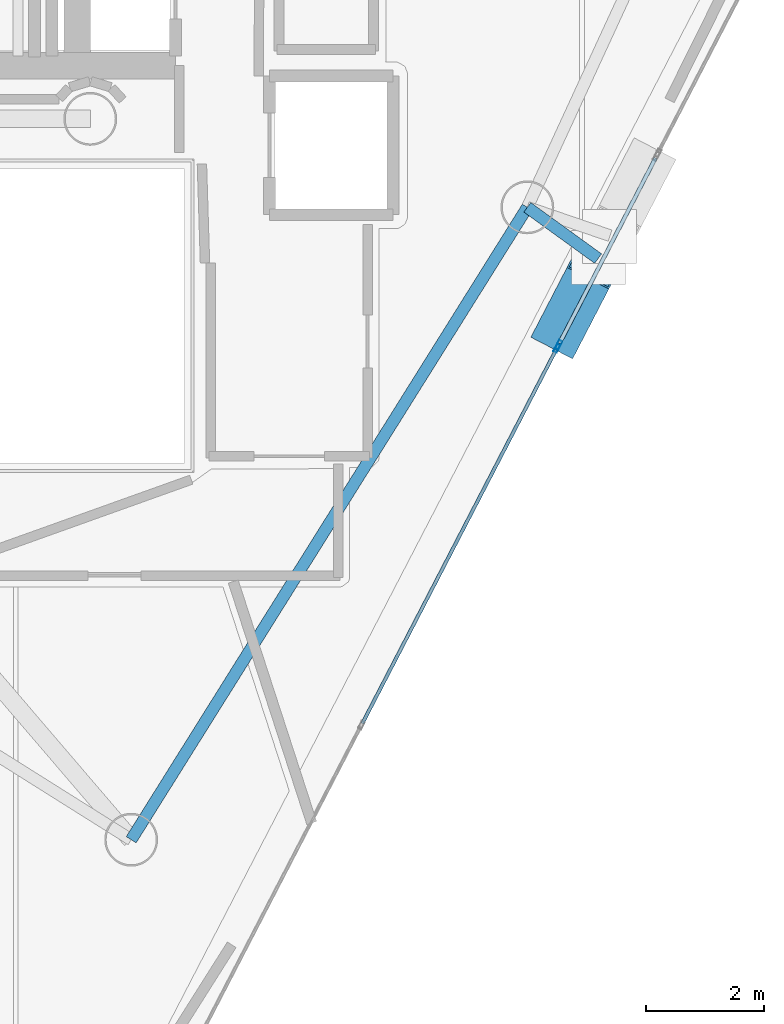
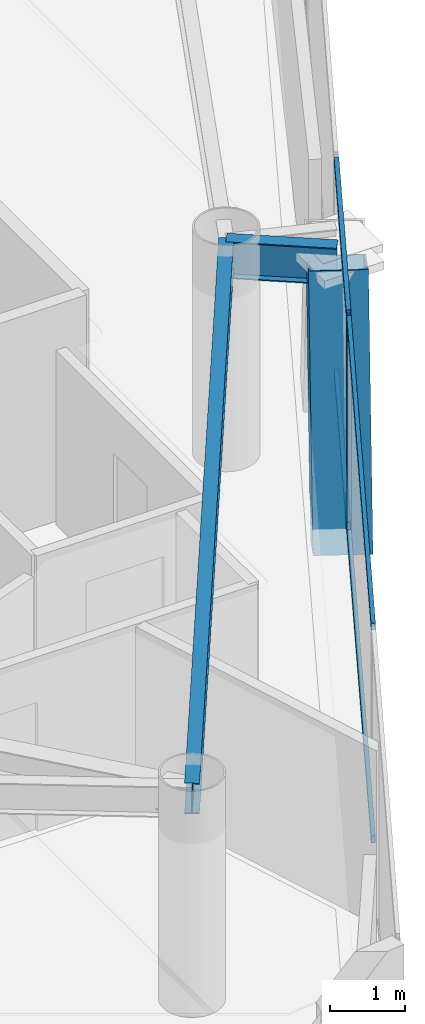
# One storey, part 6 of 21: 7 members, 2 beams, 2 elements without a shape of their own.
"""IFC4 building model written with IfcOpenShell, lengths in metres."""

from ifc_helpers import new_model, si_unit, direction, frame, origin, origin_2d, place, context, subcontext, project, spatial, hollow_rectangle, i_section, extrude, material, layer, layer_set, material_profile, profile_set, type_object, element, aggregate, save


model = new_model("IFC4")

# Units and contexts
model_context = context("Model", 3, precision=1e-05, world=origin(), true_north=direction((0.0, 1.0)))
body_context = subcontext(model_context, "Body", "Model", "MODEL_VIEW")
ifc_project = project(units=[si_unit("LENGTHUNIT", "METRE"), si_unit("AREAUNIT", "SQUARE_METRE"), si_unit("VOLUMEUNIT", "CUBIC_METRE"), si_unit("PLANEANGLEUNIT", "RADIAN"), si_unit("MASSUNIT", "GRAM", prefix="KILO")], contexts=[model_context])

# Site, building, storey
site_placement = place(None, origin())
site = spatial("IfcSite", under=ifc_project, at=site_placement, CompositionType="ELEMENT")
building_placement = place(site_placement, origin())
building = spatial("IfcBuilding", under=site, at=building_placement, Name="Qianvela Tower", CompositionType="ELEMENT")
storey_placement = place(building_placement, frame((0.0, 0.0, 310.199951171875)))
storey = spatial("IfcBuildingStorey", under=building, at=storey_placement, Name="L80", CompositionType="ELEMENT", Elevation=310.199951171875)

# Beams
ifc_material_1 = material(Name="Steel Q355B", Category="steel")
ifc_material_profile_1 = material_profile(ifc_material_1, i_section(OverallWidth=0.199951171875, OverallDepth=0.5, WebThickness=0.010009765625, FlangeThickness=0.01611328125, at=origin_2d()), Name="HN500x200x10x16")
ifc_profile_set_1 = profile_set([ifc_material_profile_1], Name="Steel Q355B")
beam_type_1 = type_object("IfcBeamType", Name="BM-HN500-GIRD", PredefinedType="BEAM", material=ifc_profile_set_1)
beam_1_placement = place(storey_placement, frame((39.095947265625, 11.587890625, 3.26806640625), z_axis=(0.530840654868, 0.847471650935, 0.0), x_axis=(-0.847471650935, 0.530840654868, 0.0)))
element("IfcBeam", 1, at=beam_1_placement, inside=storey, type_object=beam_type_1, Name="L80 Perimeter Ring Spandrel Girder 5", PredefinedType="BEAM", context=body_context, shape_type="SweptSolid", body=[
    extrude(i_section(OverallWidth=0.199951171875, OverallDepth=0.5, WebThickness=0.010009765625, FlangeThickness=0.01611328125, at=origin_2d()), origin(), (0.0, 0.0, 1.0), 12.693115234375),
])
ifc_material_2 = material(Name="Steel Q355B", Category="steel")
ifc_material_profile_2 = material_profile(ifc_material_2, i_section(OverallWidth=0.199951171875, OverallDepth=0.60009765625, WebThickness=0.010986328125, FlangeThickness=0.01708984375, at=origin_2d()), Name="HN600x200x11x17")
ifc_profile_set_2 = profile_set([ifc_material_profile_2], Name="Steel Q355B")
beam_type_2 = type_object("IfcBeamType", Name="BM-HN600-GIRD", PredefinedType="BEAM", material=ifc_profile_set_2)
beam_2_placement = place(storey_placement, frame((45.833984375, 22.344970703125, 3.218017578125), z_axis=(0.809899080668, -0.586569244961, 0.0), x_axis=(0.586569244961, 0.809899080668, 0.0)))
element("IfcBeam", 2, at=beam_2_placement, inside=storey, type_object=beam_type_2, Name="L80 Mega-Brace Column Tie Bracket F3-1", PredefinedType="BEAM", context=body_context, shape_type="SweptSolid", body=[
    extrude(i_section(OverallWidth=0.199951171875, OverallDepth=0.60009765625, WebThickness=0.010986328125, FlangeThickness=0.01708984375, at=origin_2d()), origin(), (0.0, 0.0, 1.0), 1.48681640625),
])

# Curtain wall, members
ifc_material_3 = material(Name="Anodised Architectural Aluminium and Insulated Spandrel Panel", Category="aluminium")
ifc_layer_1 = layer(ifc_material_3, 0.179931640625)
ifc_layer_set_1 = layer_set([ifc_layer_1], Name="Anodised Architectural Aluminium and Insulated Spandrel Panel")
curtain_wall_type_1 = type_object("IfcCurtainWallType", Name="CW-BRACEBAY", PredefinedType="USERDEFINED", material=ifc_layer_set_1)
curtain_wall_1_placement = place(storey_placement, origin())
curtain_wall_1 = element("IfcCurtainWall", 3, at=curtain_wall_1_placement, inside=storey, type_object=curtain_wall_type_1, Name="L80 CW-BRACEBAY Curtain Wall 06B", ObjectType="CURTAIN_WALL_SYSTEM", PredefinedType="USERDEFINED")
ifc_material_4 = material(Name="Anodised Architectural Aluminium 6063-T6", Category="aluminium")
ifc_material_profile_3 = material_profile(ifc_material_4, hollow_rectangle(XDim=0.06494140625, YDim=0.159912109375, WallThickness=0.0048828125, at=origin_2d()), Name="ALU-MULL-65x160")
ifc_profile_set_3 = profile_set([ifc_material_profile_3], Name="Anodised Architectural Aluminium 6063-T6")
member_type_1 = type_object("IfcMemberType", Name="CW-BRACEBAY-MULL", PredefinedType="MULLION", material=ifc_profile_set_3)
member_1_placement = place(storey_placement, frame((46.3662109375, 20.00341796875, 0.0), z_axis=(0.0, 0.0, 1.0), x_axis=(-0.887759878128, 0.460306852855, 0.0)))
member_1 = element("IfcMember", 4, at=member_1_placement, type_object=member_type_1, Name="CW-9 mullion 1", PredefinedType="MULLION", context=body_context, shape_type="SweptSolid", body=[
    extrude(hollow_rectangle(XDim=0.06494140625, YDim=0.159912109375, WallThickness=0.0048828125, at=origin_2d()), origin(), (0.0, 0.0, 1.0), 3.52001953125),
])
ifc_material_5 = material(Name="Anodised Architectural Aluminium 6063-T6", Category="aluminium")
ifc_material_profile_4 = material_profile(ifc_material_5, hollow_rectangle(XDim=0.06494140625, YDim=0.1298828125, WallThickness=0.00439453125, at=origin_2d()), Name="ALU-TRAN-65x130")
ifc_profile_set_4 = profile_set([ifc_material_profile_4], Name="Anodised Architectural Aluminium 6063-T6")
member_type_2 = type_object("IfcMemberType", Name="CW-BRACEBAY-TRAN", PredefinedType="USERDEFINED", material=ifc_profile_set_4)
member_2_placement = place(storey_placement, frame((46.381103515625, 20.0322265625, 0.032470703125), z_axis=(0.46031515695, 0.887755572375, 0.0), x_axis=(-0.887755572375, 0.46031515695, 0.0)))
member_2 = element("IfcMember", 5, at=member_2_placement, type_object=member_type_2, Name="CW-9 transom 1.1", ObjectType="TRANSOM", PredefinedType="USERDEFINED", context=body_context, shape_type="SweptSolid", body=[
    extrude(hollow_rectangle(XDim=0.06494140625, YDim=0.1298828125, WallThickness=0.00439453125, at=origin_2d()), origin(), (0.0, 0.0, 1.0), 3.5498046875),
])
member_3_placement = place(storey_placement, frame((46.381103515625, 20.0322265625, 3.487548828125), z_axis=(0.46031515695, 0.887755572375, 0.0), x_axis=(-0.887755572375, 0.46031515695, 0.0)))
member_3 = element("IfcMember", 6, at=member_3_placement, type_object=member_type_2, Name="CW-9 transom 1.2", ObjectType="TRANSOM", PredefinedType="USERDEFINED", context=body_context, shape_type="SweptSolid", body=[
    extrude(hollow_rectangle(XDim=0.06494140625, YDim=0.1298828125, WallThickness=0.00439453125, at=origin_2d()), origin(), (0.0, 0.0, 1.0), 3.5498046875),
])
aggregate(curtain_wall_1, [member_1, member_2, member_3])

ifc_material_6 = material(Name="Anodised Architectural Aluminium and Low-E Glass", Category="aluminium")
ifc_layer_2 = layer(ifc_material_6, 0.14990234375)
ifc_layer_set_2 = layer_set([ifc_layer_2], Name="Anodised Architectural Aluminium and Low-E Glass")
curtain_wall_type_2 = type_object("IfcCurtainWallType", Name="CW-COLIV-Z78", PredefinedType="USERDEFINED", material=ifc_layer_set_2)
curtain_wall_2_placement = place(storey_placement, origin())
curtain_wall_2 = element("IfcCurtainWall", 7, at=curtain_wall_2_placement, inside=storey, type_object=curtain_wall_type_2, Name="L80 CW-COLIV-Z78 Curtain Wall 06A", ObjectType="CURTAIN_WALL_SYSTEM", PredefinedType="USERDEFINED")
ifc_material_7 = material(Name="Anodised Architectural Aluminium 6063-T6", Category="aluminium")
ifc_material_profile_5 = material_profile(ifc_material_7, hollow_rectangle(XDim=0.06005859375, YDim=0.139892578125, WallThickness=0.00439453125, at=origin_2d()), Name="ALU-MULL-60x140")
ifc_profile_set_5 = profile_set([ifc_material_profile_5], Name="Anodised Architectural Aluminium 6063-T6")
member_type_3 = type_object("IfcMemberType", Name="CW-COLIV-Z78-MULL", PredefinedType="MULLION", material=ifc_profile_set_5)
member_4_placement = place(storey_placement, frame((46.33740234375, 19.94775390625, 0.0), z_axis=(0.0, 0.0, 1.0), x_axis=(-0.887758184727, 0.460310118779, 0.0)))
member_4 = element("IfcMember", 8, at=member_4_placement, type_object=member_type_3, Name="CW-6 mullion 3", PredefinedType="MULLION", context=body_context, shape_type="SweptSolid", body=[
    extrude(hollow_rectangle(XDim=0.06005859375, YDim=0.139892578125, WallThickness=0.00439453125, at=origin_2d()), origin(), (0.0, 0.0, 1.0), 3.52001953125),
])
ifc_material_8 = material(Name="Anodised Architectural Aluminium 6063-T6", Category="aluminium")
ifc_material_profile_6 = material_profile(ifc_material_8, hollow_rectangle(XDim=0.06005859375, YDim=0.114990234375, WallThickness=0.00390625, at=origin_2d()), Name="ALU-TRAN-60x115")
ifc_profile_set_6 = profile_set([ifc_material_profile_6], Name="Anodised Architectural Aluminium 6063-T6")
member_type_4 = type_object("IfcMemberType", Name="CW-COLIV-Z78-TRAN", PredefinedType="USERDEFINED", material=ifc_profile_set_6)
member_5_placement = place(storey_placement, frame((43.02783203125, 13.56494140625, 0.030029296875), z_axis=(0.460300243974, 0.887763304827, 0.0), x_axis=(-0.887763304827, 0.460300243974, 0.0)))
member_5 = element("IfcMember", 9, at=member_5_placement, type_object=member_type_4, Name="CW-6 transom 2.1", ObjectType="TRANSOM", PredefinedType="USERDEFINED", context=body_context, shape_type="SweptSolid", body=[
    extrude(hollow_rectangle(XDim=0.06005859375, YDim=0.114990234375, WallThickness=0.00390625, at=origin_2d()), origin(), (0.0, 0.0, 1.0), 7.159912109375),
])
member_6_placement = place(storey_placement, frame((43.02783203125, 13.56494140625, 3.489990234375), z_axis=(0.460300243974, 0.887763304827, 0.0), x_axis=(-0.887763304827, 0.460300243974, 0.0)))
member_6 = element("IfcMember", 10, at=member_6_placement, type_object=member_type_4, Name="CW-6 transom 2.2", ObjectType="TRANSOM", PredefinedType="USERDEFINED", context=body_context, shape_type="SweptSolid", body=[
    extrude(hollow_rectangle(XDim=0.06005859375, YDim=0.114990234375, WallThickness=0.00390625, at=origin_2d()), origin(), (0.0, 0.0, 1.0), 7.159912109375),
])
aggregate(curtain_wall_2, [member_4, member_5, member_6])

# Member
ifc_material_9 = material(Name="Steel Q420GJC", Category="steel")
ifc_material_profile_7 = material_profile(ifc_material_9, hollow_rectangle(XDim=0.800048828125, YDim=0.800048828125, WallThickness=0.028076171875, at=origin_2d()), Name="MBOX-800x800x28")
ifc_profile_set_7 = profile_set([ifc_material_profile_7], Name="Steel Q420GJC")
member_type_5 = type_object("IfcMemberType", Name="MBR-MBRACE-800", PredefinedType="BRACE", material=ifc_profile_set_7)
member_7_placement = place(storey_placement, frame((46.422119140625, 20.28515625, -0.48193359375), z_axis=(0.156557822195, 0.301884187466, 0.940401821387), x_axis=(-0.887724150466, 0.460375751619, 0.0)))
element("IfcMember", 11, at=member_7_placement, inside=storey, type_object=member_type_5, Name="L80 Tier 13 Exterior Mega-Brace F3A", PredefinedType="BRACE", context=body_context, shape_type="SweptSolid", body=[
    extrude(hollow_rectangle(XDim=0.800048828125, YDim=0.800048828125, WallThickness=0.028076171875, at=origin_2d()), origin(), (0.0, 0.0, 1.0), 3.934326171875),
])

save(model, "model.ifc")
